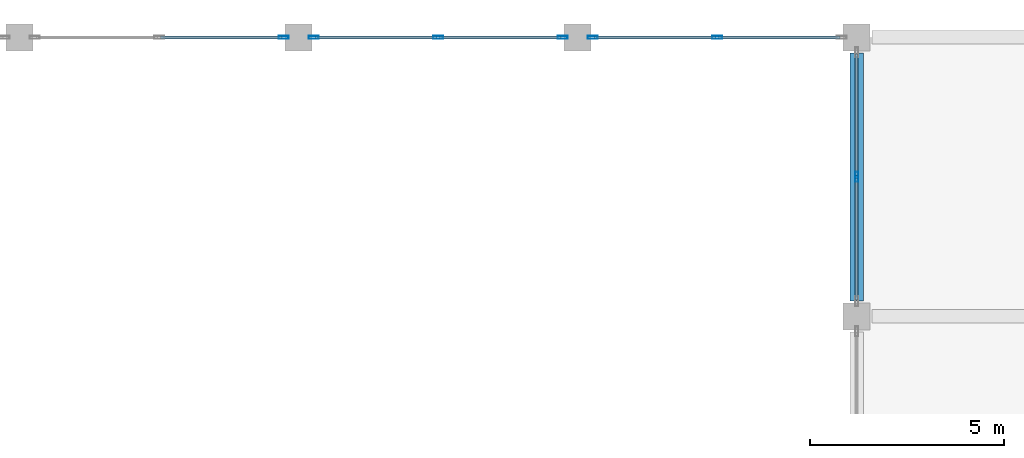
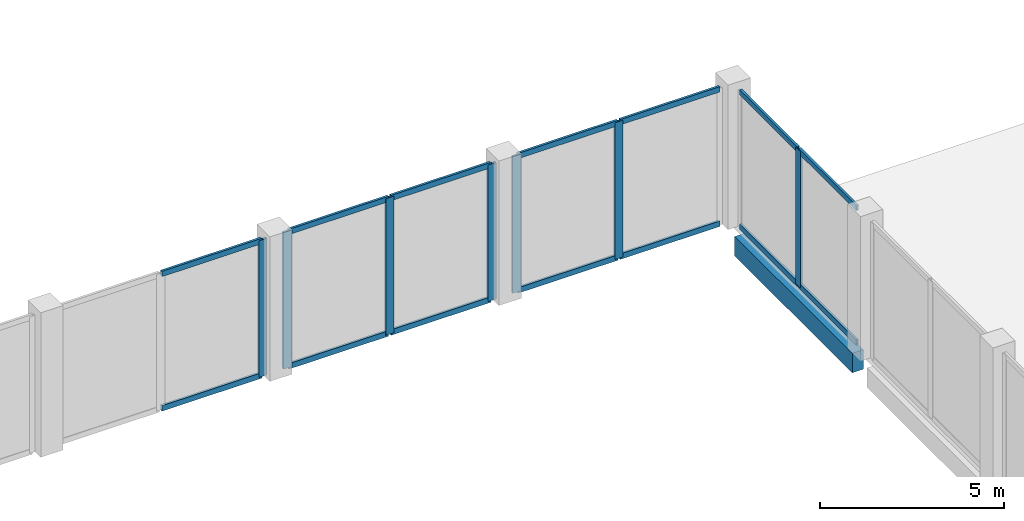
# One storey, part 53 of 99: 21 members, 1 beam, 4 elements without a shape of their own.
"""IFC4 building model written with IfcOpenShell, lengths in metres."""

from ifc_helpers import new_model, si_unit, direction, frame, origin, origin_2d, place, context, subcontext, project, spatial, rectangle, hollow_rectangle, extrude, material, material_profile, profile_set, type_object, element, aggregate, save


model = new_model("IFC4")

# Units and contexts
model_context = context("Model", 3, precision=1e-05, world=origin(), true_north=direction((0.0, 1.0)))
body_context = subcontext(model_context, "Body", "Model", "MODEL_VIEW")
ifc_project = project(units=[si_unit("LENGTHUNIT", "METRE"), si_unit("AREAUNIT", "SQUARE_METRE"), si_unit("VOLUMEUNIT", "CUBIC_METRE"), si_unit("PLANEANGLEUNIT", "RADIAN"), si_unit("MASSUNIT", "GRAM", prefix="KILO")], contexts=[model_context])

# Site, building, storey
site_placement = place(None, origin())
site = spatial("IfcSite", under=ifc_project, at=site_placement, CompositionType="ELEMENT")
building_placement = place(site_placement, origin())
building = spatial("IfcBuilding", under=site, at=building_placement, Name="Vesperath Aquatics Centre", CompositionType="ELEMENT")
storey_placement = place(building_placement, frame((0.0, 0.0, 5.39990234375)))
storey = spatial("IfcBuildingStorey", under=building, at=storey_placement, Name="L01", CompositionType="ELEMENT", Elevation=5.39990234375)

# Beam
ifc_material_1 = material(Name="Concrete C35", Category="concrete")
ifc_material_profile_1 = material_profile(ifc_material_1, rectangle(XDim=0.35009765625, YDim=0.64990234375, at=origin_2d()), Name="RC 350x650")
ifc_profile_set_1 = profile_set([ifc_material_profile_1], Name="Concrete C35")
beam_type = type_object("IfcBeamType", Name="BM-G05", PredefinedType="BEAM", material=ifc_profile_set_1)
beam_placement = place(storey_placement, frame((144.0, 108.39990234375, -0.579833984375), z_axis=(0.0, 1.0, 0.0), x_axis=(-1.0, 0.0, 0.0)))
element("IfcBeam", 1, at=beam_placement, inside=storey, type_object=beam_type, Name="Changing Wing Low Roof Girder B05 21 R-S", PredefinedType="BEAM", context=body_context, shape_type="SweptSolid", body=[
    extrude(rectangle(XDim=0.35009765625, YDim=0.64990234375, at=origin_2d()), origin(), (0.0, 0.0, 1.0), 6.400146484375),
])

# Curtain wall, member
ifc_material_2 = material(Name="Thermally broken anodised bronze aluminium curtain wall", Category="aluminium")
curtain_wall_type = type_object("IfcCurtainWallType", Name="CW-06", PredefinedType="NOTDEFINED", material=ifc_material_2)
curtain_wall_1_placement = place(storey_placement, origin())
curtain_wall_1 = element("IfcCurtainWall", 2, at=curtain_wall_1_placement, inside=storey, type_object=curtain_wall_type, Name="Facade Curtain Wall CW06 L01_N_17_16", PredefinedType="NOTDEFINED")
ifc_material_3 = material(Name="Thermally broken anodised aluminium", Category="aluminium")
ifc_material_profile_2 = material_profile(ifc_material_3, hollow_rectangle(XDim=0.074951171875, YDim=0.260009765625, WallThickness=0.006103515625, at=origin_2d()), Name="CWM 75x260x6")
ifc_profile_set_2 = profile_set([ifc_material_profile_2], Name="Thermally broken anodised aluminium")
member_type_1 = type_object("IfcMemberType", Name="MB-CWM1", PredefinedType="MULLION", material=ifc_profile_set_2)
member_1_placement = place(storey_placement, frame((129.21240234375, 115.199951171875, 0.0), z_axis=(0.0, 0.0, 1.0), x_axis=(0.0, 1.0, 0.0)))
member_1 = element("IfcMember", 3, at=member_1_placement, type_object=member_type_1, Name="CW06 mullion 3", PredefinedType="MULLION", context=body_context, shape_type="SweptSolid", body=[
    extrude(hollow_rectangle(XDim=0.074951171875, YDim=0.260009765625, WallThickness=0.006103515625, at=origin_2d()), origin(), (0.0, 0.0, 1.0), 4.5400390625),
])

# Curtain wall, members
curtain_wall_2_placement = place(storey_placement, origin())
curtain_wall_2 = element("IfcCurtainWall", 4, at=curtain_wall_2_placement, inside=storey, type_object=curtain_wall_type, Name="Facade Curtain Wall CW06 L01_N_18_16", PredefinedType="NOTDEFINED")
member_2_placement = place(storey_placement, frame((129.987548828125, 115.199951171875, 0.0), z_axis=(0.0, 0.0, 1.0), x_axis=(0.0, 1.0, 0.0)))
member_2 = element("IfcMember", 5, at=member_2_placement, type_object=member_type_1, Name="CW06 mullion 1", PredefinedType="MULLION", context=body_context, shape_type="SweptSolid", body=[
    extrude(hollow_rectangle(XDim=0.074951171875, YDim=0.260009765625, WallThickness=0.006103515625, at=origin_2d()), origin(), (0.0, 0.0, 1.0), 4.5400390625),
])
member_3_placement = place(storey_placement, frame((133.199951171875, 115.199951171875, 0.0), z_axis=(0.0, 0.0, 1.0), x_axis=(0.0, 1.0, 0.0)))
member_3 = element("IfcMember", 6, at=member_3_placement, type_object=member_type_1, Name="CW06 mullion 2", PredefinedType="MULLION", context=body_context, shape_type="SweptSolid", body=[
    extrude(hollow_rectangle(XDim=0.074951171875, YDim=0.260009765625, WallThickness=0.006103515625, at=origin_2d()), origin(), (0.0, 0.0, 1.0), 4.5400390625),
])
member_4_placement = place(storey_placement, frame((136.41259765625, 115.199951171875, 0.0), z_axis=(0.0, 0.0, 1.0), x_axis=(0.0, 1.0, 0.0)))
member_4 = element("IfcMember", 7, at=member_4_placement, type_object=member_type_1, Name="CW06 mullion 3", PredefinedType="MULLION", context=body_context, shape_type="SweptSolid", body=[
    extrude(hollow_rectangle(XDim=0.074951171875, YDim=0.260009765625, WallThickness=0.006103515625, at=origin_2d()), origin(), (0.0, 0.0, 1.0), 4.5400390625),
])

curtain_wall_3_placement = place(storey_placement, origin())
curtain_wall_3 = element("IfcCurtainWall", 8, at=curtain_wall_3_placement, inside=storey, type_object=curtain_wall_type, Name="Facade Curtain Wall CW06 L01_N_19_16", PredefinedType="NOTDEFINED")
member_5_placement = place(storey_placement, frame((137.1875, 115.199951171875, 0.0), z_axis=(0.0, 0.0, 1.0), x_axis=(0.0, 1.0, 0.0)))
member_5 = element("IfcMember", 9, at=member_5_placement, type_object=member_type_1, Name="CW06 mullion 1", PredefinedType="MULLION", context=body_context, shape_type="SweptSolid", body=[
    extrude(hollow_rectangle(XDim=0.074951171875, YDim=0.260009765625, WallThickness=0.006103515625, at=origin_2d()), origin(), (0.0, 0.0, 1.0), 4.5400390625),
])
member_6_placement = place(storey_placement, frame((140.39990234375, 115.199951171875, 0.0), z_axis=(0.0, 0.0, 1.0), x_axis=(0.0, 1.0, 0.0)))
member_6 = element("IfcMember", 10, at=member_6_placement, type_object=member_type_1, Name="CW06 mullion 2", PredefinedType="MULLION", context=body_context, shape_type="SweptSolid", body=[
    extrude(hollow_rectangle(XDim=0.074951171875, YDim=0.260009765625, WallThickness=0.006103515625, at=origin_2d()), origin(), (0.0, 0.0, 1.0), 4.5400390625),
])

# Curtain wall, member
curtain_wall_4_placement = place(storey_placement, origin())
curtain_wall_4 = element("IfcCurtainWall", 11, at=curtain_wall_4_placement, inside=storey, type_object=curtain_wall_type, Name="Facade Curtain Wall CW06 L01_E_20_15", PredefinedType="NOTDEFINED")
member_7_placement = place(storey_placement, frame((144.0, 111.60009765625, 0.0), z_axis=(0.0, 0.0, 1.0), x_axis=(-1.0, 0.0, 0.0)))
member_7 = element("IfcMember", 12, at=member_7_placement, type_object=member_type_1, Name="CW06 mullion 2", PredefinedType="MULLION", context=body_context, shape_type="SweptSolid", body=[
    extrude(hollow_rectangle(XDim=0.074951171875, YDim=0.260009765625, WallThickness=0.006103515625, at=origin_2d()), origin(), (0.0, 0.0, 1.0), 4.5400390625),
])

# Member
ifc_material_profile_3 = material_profile(ifc_material_3, hollow_rectangle(XDim=0.074951171875, YDim=0.179931640625, WallThickness=0.0048828125, at=origin_2d()), Name="CWT 75x180x5")
ifc_profile_set_3 = profile_set([ifc_material_profile_3], Name="Thermally broken anodised aluminium")
member_type_2 = type_object("IfcMemberType", Name="MB-CWT1", PredefinedType="USERDEFINED", material=ifc_profile_set_3)
member_8_placement = place(storey_placement, frame((126.03759765625, 115.199951171875, 0.03759765625), z_axis=(1.0, 0.0, 0.0), x_axis=(0.0, 1.0, 0.0)))
member_8 = element("IfcMember", 13, at=member_8_placement, type_object=member_type_2, Name="CW06 transom 2.1", ObjectType="TRANSOM", PredefinedType="USERDEFINED", context=body_context, shape_type="SweptSolid", body=[
    extrude(hollow_rectangle(XDim=0.074951171875, YDim=0.179931640625, WallThickness=0.0048828125, at=origin_2d()), origin(), (0.0, 0.0, 1.0), 3.137451171875),
])

member_9_placement = place(storey_placement, frame((126.03759765625, 115.199951171875, 4.502685546875), z_axis=(1.0, 0.0, 0.0), x_axis=(0.0, 1.0, 0.0)))
member_9 = element("IfcMember", 14, at=member_9_placement, type_object=member_type_2, Name="CW06 transom 2.2", ObjectType="TRANSOM", PredefinedType="USERDEFINED", context=body_context, shape_type="SweptSolid", body=[
    extrude(hollow_rectangle(XDim=0.074951171875, YDim=0.179931640625, WallThickness=0.0048828125, at=origin_2d()), origin(), (0.0, 0.0, 1.0), 3.137451171875),
])

aggregate(curtain_wall_1, [member_1, member_8, member_9])

member_10_placement = place(storey_placement, frame((130.02490234375, 115.199951171875, 0.03759765625), z_axis=(1.0, 0.0, 0.0), x_axis=(0.0, 1.0, 0.0)))
member_10 = element("IfcMember", 15, at=member_10_placement, type_object=member_type_2, Name="CW06 transom 1.1", ObjectType="TRANSOM", PredefinedType="USERDEFINED", context=body_context, shape_type="SweptSolid", body=[
    extrude(hollow_rectangle(XDim=0.074951171875, YDim=0.179931640625, WallThickness=0.0048828125, at=origin_2d()), origin(), (0.0, 0.0, 1.0), 3.1376953125),
])

member_11_placement = place(storey_placement, frame((130.02490234375, 115.199951171875, 4.502685546875), z_axis=(1.0, 0.0, 0.0), x_axis=(0.0, 1.0, 0.0)))
member_11 = element("IfcMember", 16, at=member_11_placement, type_object=member_type_2, Name="CW06 transom 1.2", ObjectType="TRANSOM", PredefinedType="USERDEFINED", context=body_context, shape_type="SweptSolid", body=[
    extrude(hollow_rectangle(XDim=0.074951171875, YDim=0.179931640625, WallThickness=0.0048828125, at=origin_2d()), origin(), (0.0, 0.0, 1.0), 3.1376953125),
])

member_12_placement = place(storey_placement, frame((133.237548828125, 115.199951171875, 0.03759765625), z_axis=(1.0, 0.0, 0.0), x_axis=(0.0, 1.0, 0.0)))
member_12 = element("IfcMember", 17, at=member_12_placement, type_object=member_type_2, Name="CW06 transom 2.1", ObjectType="TRANSOM", PredefinedType="USERDEFINED", context=body_context, shape_type="SweptSolid", body=[
    extrude(hollow_rectangle(XDim=0.074951171875, YDim=0.179931640625, WallThickness=0.0048828125, at=origin_2d()), origin(), (0.0, 0.0, 1.0), 3.137451171875),
])

member_13_placement = place(storey_placement, frame((133.237548828125, 115.199951171875, 4.502685546875), z_axis=(1.0, 0.0, 0.0), x_axis=(0.0, 1.0, 0.0)))
member_13 = element("IfcMember", 18, at=member_13_placement, type_object=member_type_2, Name="CW06 transom 2.2", ObjectType="TRANSOM", PredefinedType="USERDEFINED", context=body_context, shape_type="SweptSolid", body=[
    extrude(hollow_rectangle(XDim=0.074951171875, YDim=0.179931640625, WallThickness=0.0048828125, at=origin_2d()), origin(), (0.0, 0.0, 1.0), 3.137451171875),
])

aggregate(curtain_wall_2, [member_2, member_3, member_4, member_10, member_11, member_12, member_13])

member_14_placement = place(storey_placement, frame((137.22509765625, 115.199951171875, 0.03759765625), z_axis=(1.0, 0.0, 0.0), x_axis=(0.0, 1.0, 0.0)))
member_14 = element("IfcMember", 19, at=member_14_placement, type_object=member_type_2, Name="CW06 transom 1.1", ObjectType="TRANSOM", PredefinedType="USERDEFINED", context=body_context, shape_type="SweptSolid", body=[
    extrude(hollow_rectangle(XDim=0.074951171875, YDim=0.179931640625, WallThickness=0.0048828125, at=origin_2d()), origin(), (0.0, 0.0, 1.0), 3.137451171875),
])

member_15_placement = place(storey_placement, frame((137.22509765625, 115.199951171875, 4.502685546875), z_axis=(1.0, 0.0, 0.0), x_axis=(0.0, 1.0, 0.0)))
member_15 = element("IfcMember", 20, at=member_15_placement, type_object=member_type_2, Name="CW06 transom 1.2", ObjectType="TRANSOM", PredefinedType="USERDEFINED", context=body_context, shape_type="SweptSolid", body=[
    extrude(hollow_rectangle(XDim=0.074951171875, YDim=0.179931640625, WallThickness=0.0048828125, at=origin_2d()), origin(), (0.0, 0.0, 1.0), 3.137451171875),
])

member_16_placement = place(storey_placement, frame((140.4375, 115.199951171875, 0.03759765625), z_axis=(1.0, 0.0, 0.0), x_axis=(0.0, 1.0, 0.0)))
member_16 = element("IfcMember", 21, at=member_16_placement, type_object=member_type_2, Name="CW06 transom 2.1", ObjectType="TRANSOM", PredefinedType="USERDEFINED", context=body_context, shape_type="SweptSolid", body=[
    extrude(hollow_rectangle(XDim=0.074951171875, YDim=0.179931640625, WallThickness=0.0048828125, at=origin_2d()), origin(), (0.0, 0.0, 1.0), 3.137451171875),
])

member_17_placement = place(storey_placement, frame((140.4375, 115.199951171875, 4.502685546875), z_axis=(1.0, 0.0, 0.0), x_axis=(0.0, 1.0, 0.0)))
member_17 = element("IfcMember", 22, at=member_17_placement, type_object=member_type_2, Name="CW06 transom 2.2", ObjectType="TRANSOM", PredefinedType="USERDEFINED", context=body_context, shape_type="SweptSolid", body=[
    extrude(hollow_rectangle(XDim=0.074951171875, YDim=0.179931640625, WallThickness=0.0048828125, at=origin_2d()), origin(), (0.0, 0.0, 1.0), 3.137451171875),
])

aggregate(curtain_wall_3, [member_5, member_6, member_14, member_15, member_16, member_17])

member_18_placement = place(storey_placement, frame((144.0, 108.425048828125, 0.03759765625), z_axis=(0.0, 1.0, 0.0), x_axis=(-1.0, 0.0, 0.0)))
member_18 = element("IfcMember", 23, at=member_18_placement, type_object=member_type_2, Name="CW06 transom 1.1", ObjectType="TRANSOM", PredefinedType="USERDEFINED", context=body_context, shape_type="SweptSolid", body=[
    extrude(hollow_rectangle(XDim=0.074951171875, YDim=0.179931640625, WallThickness=0.0048828125, at=origin_2d()), origin(), (0.0, 0.0, 1.0), 3.137451171875),
])

member_19_placement = place(storey_placement, frame((144.0, 108.425048828125, 4.502685546875), z_axis=(0.0, 1.0, 0.0), x_axis=(-1.0, 0.0, 0.0)))
member_19 = element("IfcMember", 24, at=member_19_placement, type_object=member_type_2, Name="CW06 transom 1.2", ObjectType="TRANSOM", PredefinedType="USERDEFINED", context=body_context, shape_type="SweptSolid", body=[
    extrude(hollow_rectangle(XDim=0.074951171875, YDim=0.179931640625, WallThickness=0.0048828125, at=origin_2d()), origin(), (0.0, 0.0, 1.0), 3.137451171875),
])

member_20_placement = place(storey_placement, frame((144.0, 111.637451171875, 0.03759765625), z_axis=(0.0, 1.0, 0.0), x_axis=(-1.0, 0.0, 0.0)))
member_20 = element("IfcMember", 25, at=member_20_placement, type_object=member_type_2, Name="CW06 transom 2.1", ObjectType="TRANSOM", PredefinedType="USERDEFINED", context=body_context, shape_type="SweptSolid", body=[
    extrude(hollow_rectangle(XDim=0.074951171875, YDim=0.179931640625, WallThickness=0.0048828125, at=origin_2d()), origin(), (0.0, 0.0, 1.0), 3.137451171875),
])

member_21_placement = place(storey_placement, frame((144.0, 111.637451171875, 4.502685546875), z_axis=(0.0, 1.0, 0.0), x_axis=(-1.0, 0.0, 0.0)))
member_21 = element("IfcMember", 26, at=member_21_placement, type_object=member_type_2, Name="CW06 transom 2.2", ObjectType="TRANSOM", PredefinedType="USERDEFINED", context=body_context, shape_type="SweptSolid", body=[
    extrude(hollow_rectangle(XDim=0.074951171875, YDim=0.179931640625, WallThickness=0.0048828125, at=origin_2d()), origin(), (0.0, 0.0, 1.0), 3.137451171875),
])

aggregate(curtain_wall_4, [member_7, member_18, member_19, member_20, member_21])

save(model, "model.ifc")
